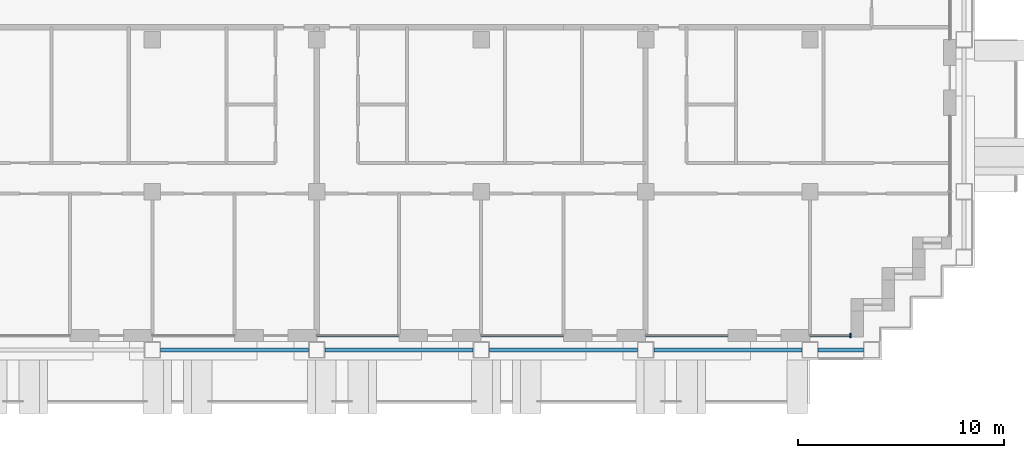
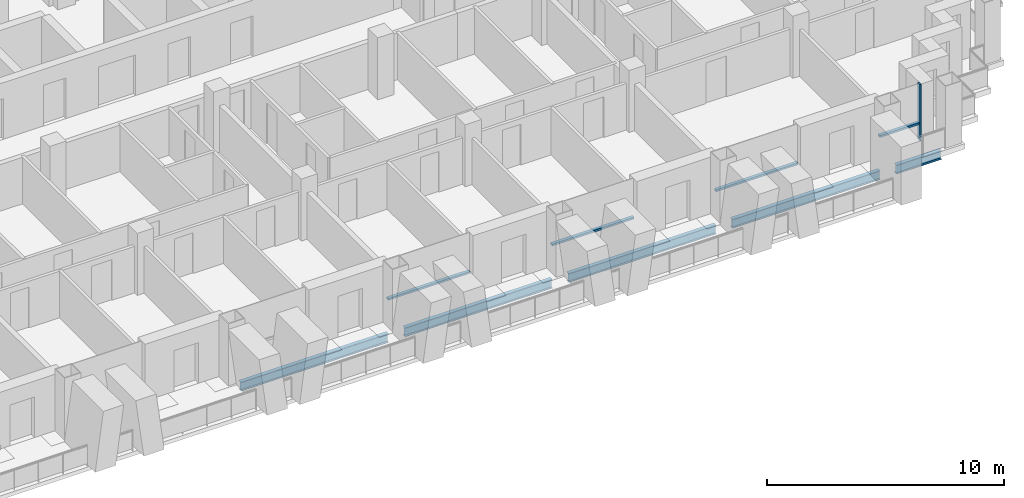
# One storey, part 3 of 18: 5 beams, 5 members, 4 elements without a shape of their own.
"""IFC4 building model written with IfcOpenShell, lengths in metres."""

from ifc_helpers import new_model, si_unit, direction, frame, origin, origin_2d, place, context, subcontext, project, spatial, rectangle, i_section, extrude, material, material_profile, profile_set, type_object, element, aggregate, save


model = new_model("IFC4")

# Units and contexts
model_context = context("Model", 3, precision=1e-05, world=origin(), true_north=direction((0.0, 1.0)))
body_context = subcontext(model_context, "Body", "Model", "MODEL_VIEW")
ifc_project = project(units=[si_unit("LENGTHUNIT", "METRE"), si_unit("AREAUNIT", "SQUARE_METRE"), si_unit("VOLUMEUNIT", "CUBIC_METRE"), si_unit("PLANEANGLEUNIT", "RADIAN"), si_unit("MASSUNIT", "GRAM", prefix="KILO")], contexts=[model_context])

# Site, building, storey
site_placement = place(None, origin())
site = spatial("IfcSite", under=ifc_project, at=site_placement, CompositionType="ELEMENT")
building_placement = place(site_placement, origin())
building = spatial("IfcBuilding", under=site, at=building_placement, Name="Vidyagriha Tower", CompositionType="ELEMENT")
storey_placement = place(building_placement, frame((0.0, 0.0, 126.199951171875)))
storey = spatial("IfcBuildingStorey", under=building, at=storey_placement, Name="L32", CompositionType="ELEMENT", Elevation=126.199951171875)

# Beams
ifc_material_1 = material(Name="Steel ASTM A992 Grade 50", Category="steel")
ifc_material_profile_1 = material_profile(ifc_material_1, i_section(OverallWidth=0.19189453125, OverallDepth=0.46240234375, WebThickness=0.010498046875, FlangeThickness=0.017578125, at=origin_2d()), Name="W18X60")
ifc_profile_set_1 = profile_set([ifc_material_profile_1], Name="Steel ASTM A992 Grade 50")
beam_type = type_object("IfcBeamType", Name="Edge beam W18X60", PredefinedType="SPANDREL", material=ifc_profile_set_1)
for number, where, z_axis, x_axis, name in (
    (1, (-5.60009765625, -17.10009765625, -0.510986328125), (1.0, 0.0, 0.0), (0.0, 1.0, 0.0), "st-beam-L32-S04"),
    (2, (2.39990234375, -17.10009765625, -0.510986328125), (1.0, 0.0, 0.0), (0.0, 1.0, 0.0), "st-beam-L32-S05"),
    (3, (10.39990234375, -17.10009765625, -0.510986328125), (1.0, 0.0, 0.0), (0.0, 1.0, 0.0), "st-beam-L32-S06"),
    (4, (18.39990234375, -17.10009765625, -0.510986328125), (1.0, 0.0, 0.0), (0.0, 1.0, 0.0), "st-beam-L32-S07"),
):
    element("IfcBeam", number, at=place(storey_placement, frame(where, z_axis=z_axis, x_axis=x_axis)), inside=storey, type_object=beam_type, Name=name, PredefinedType="SPANDREL", context=body_context, shape_type="SweptSolid", body=[
        extrude(i_section(OverallWidth=0.19189453125, OverallDepth=0.46240234375, WebThickness=0.010498046875, FlangeThickness=0.017578125, at=origin_2d()), origin(), (0.0, 0.0, 1.0), 7.2001953125),
    ])
beam_placement = place(storey_placement, frame((26.39990234375, -17.10009765625, -0.510986328125), z_axis=(1.0, 0.0, 0.0), x_axis=(0.0, 1.0, 0.0)))
element("IfcBeam", 5, at=beam_placement, inside=storey, type_object=beam_type, Name="st-beam-L32-S08", PredefinedType="SPANDREL", context=body_context, shape_type="SweptSolid", body=[
    extrude(i_section(OverallWidth=0.19189453125, OverallDepth=0.46240234375, WebThickness=0.010498046875, FlangeThickness=0.017578125, at=origin_2d()), origin(), (0.0, 0.0, 1.0), 2.2001953125),
])

# Curtain wall, member
ifc_material_2 = material(Name="Aluminium and glass curtain wall", Category="aluminium")
curtain_wall_type = type_object("IfcCurtainWallType", Name="Dwelling skin unitised curtain wall", PredefinedType="USERDEFINED", material=ifc_material_2)
curtain_wall_1_placement = place(storey_placement, origin())
curtain_wall_1 = element("IfcCurtainWall", 6, at=curtain_wall_1_placement, inside=storey, type_object=curtain_wall_type, Name="CW1 dwelling skin", ObjectType="UNITISED", PredefinedType="USERDEFINED")
ifc_material_3 = material(Name="Aluminium black anodised", Category="aluminium")
ifc_material_profile_2 = material_profile(ifc_material_3, rectangle(XDim=0.199951171875, YDim=0.070068359375, at=origin_2d()), Name="Mullion 70x200 black aluminium")
ifc_profile_set_2 = profile_set([ifc_material_profile_2], Name="Aluminium black anodised")
member_type_1 = type_object("IfcMemberType", Name="Mullion 70x200 black aluminium", PredefinedType="MULLION", material=ifc_profile_set_2)
member_1_placement = place(storey_placement, frame((27.965087890625, -16.39990234375, 0.0), z_axis=(0.0, 0.0, 1.0), x_axis=(0.0, 1.0, 0.0)))
member_1 = element("IfcMember", 7, at=member_1_placement, type_object=member_type_1, Name="CW1 mullion 2", PredefinedType="MULLION", context=body_context, shape_type="SweptSolid", body=[
    extrude(rectangle(XDim=0.199951171875, YDim=0.070068359375, at=origin_2d()), origin(), (0.0, 0.0, 1.0), 2.920166015625),
])

curtain_wall_2_placement = place(storey_placement, origin())
curtain_wall_2 = element("IfcCurtainWall", 8, at=curtain_wall_2_placement, inside=storey, type_object=curtain_wall_type, Name="CW1 dwelling skin", ObjectType="UNITISED", PredefinedType="USERDEFINED")
ifc_material_4 = material(Name="Aluminium black anodised", Category="aluminium")
ifc_material_profile_3 = material_profile(ifc_material_4, rectangle(XDim=0.159912109375, YDim=0.10009765625, at=origin_2d()), Name="Transom 100x160 black aluminium")
ifc_profile_set_3 = profile_set([ifc_material_profile_3], Name="Aluminium black anodised")
member_type_2 = type_object("IfcMemberType", Name="Transom 100x160 black aluminium", PredefinedType="USERDEFINED", material=ifc_profile_set_3)
member_2_placement = place(storey_placement, frame((2.0, -16.39990234375, 0.900146484375), z_axis=(1.0, 0.0, 0.0), x_axis=(0.0, 1.0, 0.0)))
member_2 = element("IfcMember", 9, at=member_2_placement, type_object=member_type_2, Name="CW1 transom 1.1", ObjectType="TRANSOM", PredefinedType="USERDEFINED", context=body_context, shape_type="SweptSolid", body=[
    extrude(rectangle(XDim=0.159912109375, YDim=0.10009765625, at=origin_2d()), origin(), (0.0, 0.0, 1.0), 4.0),
])
aggregate(curtain_wall_2, [member_2])

curtain_wall_3_placement = place(storey_placement, origin())
curtain_wall_3 = element("IfcCurtainWall", 10, at=curtain_wall_3_placement, inside=storey, type_object=curtain_wall_type, Name="CW1 dwelling skin", ObjectType="UNITISED", PredefinedType="USERDEFINED")
member_3_placement = place(storey_placement, frame((10.0, -16.39990234375, 0.900146484375), z_axis=(1.0, 0.0, 0.0), x_axis=(0.0, 1.0, 0.0)))
member_3 = element("IfcMember", 11, at=member_3_placement, type_object=member_type_2, Name="CW1 transom 1.1", ObjectType="TRANSOM", PredefinedType="USERDEFINED", context=body_context, shape_type="SweptSolid", body=[
    extrude(rectangle(XDim=0.159912109375, YDim=0.10009765625, at=origin_2d()), origin(), (0.0, 0.0, 1.0), 4.0),
])
aggregate(curtain_wall_3, [member_3])

curtain_wall_4_placement = place(storey_placement, origin())
curtain_wall_4 = element("IfcCurtainWall", 12, at=curtain_wall_4_placement, inside=storey, type_object=curtain_wall_type, Name="CW1 dwelling skin", ObjectType="UNITISED", PredefinedType="USERDEFINED")
member_4_placement = place(storey_placement, frame((18.0, -16.39990234375, 0.900146484375), z_axis=(1.0, 0.0, 0.0), x_axis=(0.0, 1.0, 0.0)))
member_4 = element("IfcMember", 13, at=member_4_placement, type_object=member_type_2, Name="CW1 transom 1.1", ObjectType="TRANSOM", PredefinedType="USERDEFINED", context=body_context, shape_type="SweptSolid", body=[
    extrude(rectangle(XDim=0.159912109375, YDim=0.10009765625, at=origin_2d()), origin(), (0.0, 0.0, 1.0), 4.0),
])
aggregate(curtain_wall_4, [member_4])

# Member
member_5_placement = place(storey_placement, frame((26.0, -16.39990234375, 0.900146484375), z_axis=(1.0, 0.0, 0.0), x_axis=(0.0, 1.0, 0.0)))
member_5 = element("IfcMember", 14, at=member_5_placement, type_object=member_type_2, Name="CW1 transom 1.1", ObjectType="TRANSOM", PredefinedType="USERDEFINED", context=body_context, shape_type="SweptSolid", body=[
    extrude(rectangle(XDim=0.159912109375, YDim=0.10009765625, at=origin_2d()), origin(), (0.0, 0.0, 1.0), 1.929931640625),
])

aggregate(curtain_wall_1, [member_1, member_5])

save(model, "model.ifc")
